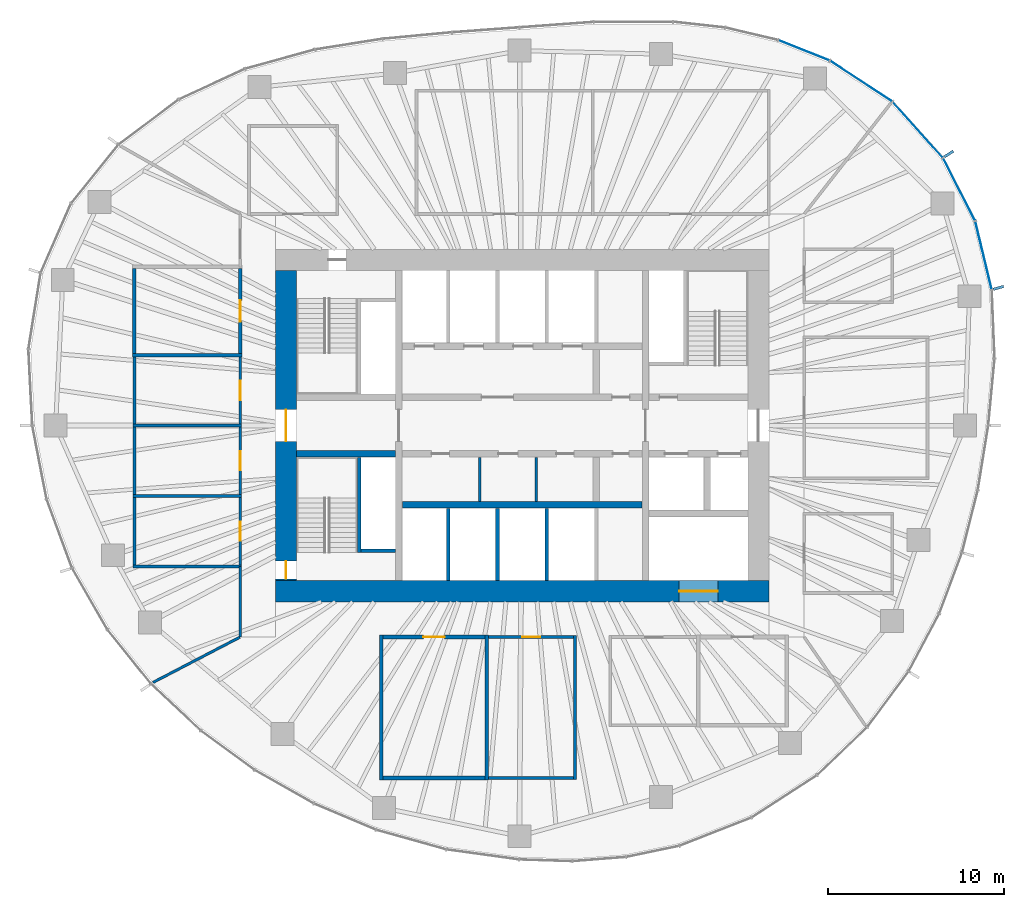
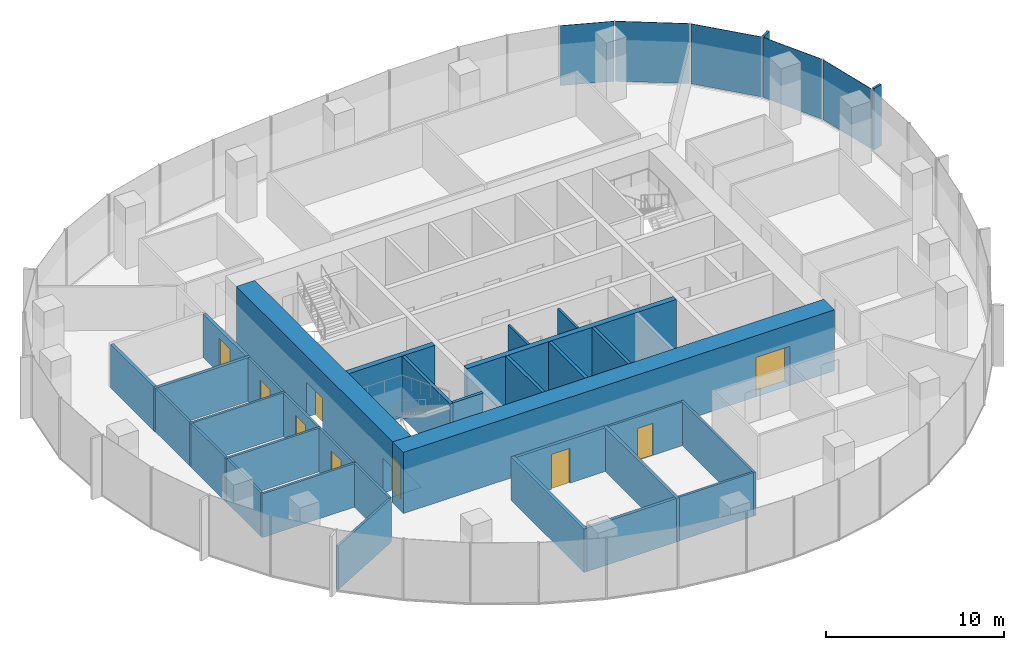
# One storey, part 8 of 12: 32 walls, 9 doors, 7 plates, 9 openings, 3 elements without a shape of their own.
"""IFC4 building model written with IfcOpenShell, lengths in metres."""

from ifc_helpers import new_model, si_unit, direction, frame, frame_2d, origin, origin_2d, place, context, subcontext, project, spatial, rectangle, extrude, material, layer, layer_set, type_object, element, fill, aggregate, save


model = new_model("IFC4")

# Units and contexts
model_context = context("Model", 3, precision=1e-05, world=origin(), true_north=direction((0.0, 1.0)))
body_context = subcontext(model_context, "Body", "Model", "MODEL_VIEW")
ifc_project = project(units=[si_unit("LENGTHUNIT", "METRE"), si_unit("AREAUNIT", "SQUARE_METRE"), si_unit("VOLUMEUNIT", "CUBIC_METRE"), si_unit("PLANEANGLEUNIT", "RADIAN"), si_unit("MASSUNIT", "GRAM", prefix="KILO")], contexts=[model_context])

# Site, building, storey
site_placement = place(None, origin())
site = spatial("IfcSite", under=ifc_project, at=site_placement, CompositionType="ELEMENT")
building_placement = place(site_placement, origin())
building = spatial("IfcBuilding", under=site, at=building_placement, Name="Ghaith Harvest Tower", CompositionType="ELEMENT")
storey_placement = place(building_placement, frame((0.0, 0.0, 228.39990234375)))
storey = spatial("IfcBuildingStorey", under=building, at=storey_placement, Name="L50", CompositionType="ELEMENT", Elevation=228.39990234375)

# Curtain wall, plates
ifc_material_1 = material(Name="Black anodised aluminium and fritted glass", Category="aluminium")
curtain_wall_type = type_object("IfcCurtainWallType", Name="CW-H CURTAIN WALL", PredefinedType="NOTDEFINED", material=ifc_material_1)
curtain_wall_1_placement = place(storey_placement, origin())
curtain_wall_1 = element("IfcCurtainWall", 1, at=curtain_wall_1_placement, inside=storey, type_object=curtain_wall_type, Name="Curtain wall CW-H bay 02 L50", PredefinedType="NOTDEFINED")
ifc_material_2 = material(Name="Glass, dark solar-control fritted double glazed unit", Category="glass")
ifc_layer_1 = layer(ifc_material_2, 0.030029296875)
ifc_layer_set_1 = layer_set([ifc_layer_1], Name="CW-H VISION PANEL")
plate_type_1 = type_object("IfcPlateType", Name="CW-H VISION PANEL", PredefinedType="CURTAIN_PANEL", material=ifc_layer_set_1)
plate_1_placement = place(storey_placement, frame((26.1767578125, 9.6533203125, 0.080078125), z_axis=(0.0, 0.0, 1.0), x_axis=(-0.233894000303, 0.972262102842, 0.0)))
plate_1 = element("IfcPlate", 2, at=plate_1_placement, type_object=plate_type_1, Name="CW-H glass unit 1 bay 02 L50", PredefinedType="CURTAIN_PANEL", context=body_context, shape_type="SweptSolid", body=[
    extrude(rectangle(XDim=3.935546875, YDim=0.030029296875, at=origin_2d()), origin(), (0.0, 0.0, 1.0), 4.1201171875),
])
plate_2_placement = place(storey_placement, frame((24.790771484375, 13.399658203125, 0.080078125), z_axis=(0.0, 0.0, 1.0), x_axis=(-0.454915320985, 0.890534699342, 0.0)))
plate_2 = element("IfcPlate", 3, at=plate_2_placement, type_object=plate_type_1, Name="CW-H glass unit 2 bay 02 L50", PredefinedType="CURTAIN_PANEL", context=body_context, shape_type="SweptSolid", body=[
    extrude(rectangle(XDim=3.949462890625, YDim=0.030029296875, at=origin_2d()), origin(), (0.0, 0.0, 1.0), 4.1201171875),
])
aggregate(curtain_wall_1, [plate_1, plate_2])

curtain_wall_2_placement = place(storey_placement, origin())
curtain_wall_2 = element("IfcCurtainWall", 4, at=curtain_wall_2_placement, inside=storey, type_object=curtain_wall_type, Name="Curtain wall CW-H bay 03 L50", PredefinedType="NOTDEFINED")
plate_3_placement = place(storey_placement, frame((22.44384765625, 16.783935546875, 0.080078125), z_axis=(0.0, 0.0, 1.0), x_axis=(-0.668757736889, 0.743480389352, 0.0)))
plate_3 = element("IfcPlate", 5, at=plate_3_placement, type_object=plate_type_1, Name="CW-H glass unit 1 bay 03 L50", PredefinedType="CURTAIN_PANEL", context=body_context, shape_type="SweptSolid", body=[
    extrude(rectangle(XDim=4.19775390625, YDim=0.030029296875, at=origin_2d()), origin(), (0.0, 0.0, 1.0), 4.1201171875),
])
plate_4_placement = place(storey_placement, frame((19.236328125, 19.539306640625, 0.080078125), z_axis=(0.0, 0.0, 1.0), x_axis=(-0.836276741583, 0.548307588392, 0.0)))
plate_4 = element("IfcPlate", 6, at=plate_4_placement, type_object=plate_type_1, Name="CW-H glass unit 2 bay 03 L50", PredefinedType="CURTAIN_PANEL", context=body_context, shape_type="SweptSolid", body=[
    extrude(rectangle(XDim=4.169677734375, YDim=0.030029296875, at=origin_2d()), origin(), (0.0, 0.0, 1.0), 4.1201171875),
])
aggregate(curtain_wall_2, [plate_3, plate_4])

# Curtain wall, plate
curtain_wall_3_placement = place(storey_placement, origin())
curtain_wall_3 = element("IfcCurtainWall", 7, at=curtain_wall_3_placement, inside=storey, type_object=curtain_wall_type, Name="Curtain wall CW-H bay 04 L50", PredefinedType="NOTDEFINED")
plate_5_placement = place(storey_placement, frame((15.993408203125, 21.287841796875, 0.080078125), z_axis=(0.0, 0.0, 1.0), x_axis=(-0.929107322045, 0.369810200133, 0.0)))
plate_5 = element("IfcPlate", 8, at=plate_5_placement, type_object=plate_type_1, Name="CW-H glass unit 1 bay 04 L50", PredefinedType="CURTAIN_PANEL", context=body_context, shape_type="SweptSolid", body=[
    extrude(rectangle(XDim=3.075927734375, YDim=0.030029296875, at=origin_2d()), origin(), (0.0, 0.0, 1.0), 4.1201171875),
])
aggregate(curtain_wall_3, [plate_5])

# Plates
ifc_material_3 = material(Name="Glassfibre-reinforced concrete", Category="concrete")
ifc_layer_2 = layer(ifc_material_3, 0.14990234375)
ifc_layer_set_2 = layer_set([ifc_layer_2], Name="SUN-BREAKER FIN 600x150")
plate_type_2 = type_object("IfcPlateType", Name="SUN-BREAKER FIN 600x150", PredefinedType="USERDEFINED", material=ifc_layer_set_2)
for number, where, z_axis, x_axis, name in (
    (9, (27.03076171875, 7.8125, 0.0), (0.0, 0.0, 1.0), (0.960680349985, 0.277656739792, 0.0), "Sun-breaker fin CW-H 1 bay 02 L50"),
    (10, (24.211669921875, 15.408447265625, 0.0), (0.0, 0.0, 1.0), (0.843643971464, 0.536903016766, 0.0), "Sun-breaker fin CW-H 1 bay 03 L50"),
):
    element("IfcPlate", number, at=place(storey_placement, frame(where, z_axis=z_axis, x_axis=x_axis)), inside=storey, type_object=plate_type_2, Name=name, ObjectType="SUN-BREAKER FIN", PredefinedType="USERDEFINED", context=body_context, shape_type="SweptSolid", body=[
        extrude(rectangle(XDim=0.60009765625, YDim=0.14990234375, at=origin_2d()), origin(), (0.0, 0.0, 1.0), 4.199951171875),
    ])

# Walls
ifc_material_4 = material(Name="Twin-stud gypsum board, acoustic", Category="gypsum")
ifc_layer_3 = layer(ifc_material_4, 0.199951171875)
ifc_layer_set_3 = layer_set([ifc_layer_3], Name="ACOUSTIC PARTITION 200")
wall_type_1 = type_object("IfcWallType", Name="ACOUSTIC PARTITION 200", PredefinedType="PARTITIONING", material=ifc_layer_set_3)
for number, where, z_axis, x_axis, name in (
    (11, (-8.0, -11.89990234375, 0.0), (0.0, 0.0, 1.0), (0.0, -1.0, 0.0), "Partition L50 row S3 cross wall 1"),
    (12, (-2.0, -11.89990234375, 0.0), (0.0, 0.0, 1.0), (0.0, -1.0, 0.0), "Partition L50 row S3 cross wall 2"),
):
    element("IfcWall", number, at=place(storey_placement, frame(where, z_axis=z_axis, x_axis=x_axis)), inside=storey, type_object=wall_type_1, Name=name, PredefinedType="PARTITIONING", context=body_context, shape_type="SweptSolid", body=[
        extrude(rectangle(XDim=8.2001953125, YDim=0.199951171875, at=frame_2d((4.10009765625, 0.0))), origin(), (0.0, 0.0, 1.0), 3.0),
    ])

# Wall, opening, door
wall_1_placement = place(storey_placement, frame((-7.89990234375, -12.0, 0.0), z_axis=(0.0, 0.0, 1.0), x_axis=(1.0, 0.0, 0.0)))
wall_1 = element("IfcWall", 13, at=wall_1_placement, inside=storey, type_object=wall_type_1, Name="Partition L50-04", PredefinedType="PARTITIONING", context=body_context, shape_type="SweptSolid", body=[
    extrude(rectangle(XDim=5.7998046875, YDim=0.199951171875, at=frame_2d((2.89990234375, 0.0))), origin(), (0.0, 0.0, 1.0), 3.0),
])
opening_1_placement = place(wall_1_placement, frame((2.300048828125, 0.0, 0.0)))
opening_1 = element("IfcOpeningElement", 14, at=opening_1_placement, cuts=wall_1, Name="Opening 50-024", PredefinedType="OPENING", context=body_context, shape_type="SweptSolid", body=[
    extrude(rectangle(XDim=1.199951171875, YDim=2.39990234375, at=frame_2d((0.60009765625, 1.199951171875))), frame((0.0, 0.10986328125, 0.0), z_axis=(0.0, -1.0, 0.0), x_axis=(1.0, 0.0, 0.0)), (0.0, 0.0, 1.0), 0.219970703125),
])
ifc_material_5 = material(Name="Timber door", Category="wood")
door_type_1 = type_object("IfcDoorType", Name="D11 GLAZED 1200x2400", OperationType="SINGLE_SWING_LEFT", PredefinedType="DOOR", material=ifc_material_5)
door_1_placement = place(opening_1_placement, origin())
door_1 = element("IfcDoor", 15, at=door_1_placement, inside=storey, type_object=door_type_1, Name="Meeting room door", OperationType="SINGLE_SWING_LEFT", OverallHeight=2.39990234375, OverallWidth=1.199951171875, PredefinedType="DOOR", context=body_context, shape_type="SweptSolid", body=[
    extrude(rectangle(XDim=1.199951171875, YDim=2.39990234375, at=frame_2d((0.60009765625, 1.199951171875))), frame((0.0, 0.02490234375, 0.0), z_axis=(0.0, -1.0, 0.0), x_axis=(1.0, 0.0, 0.0)), (0.0, 0.0, 1.0), 0.050048828125),
])
fill(opening_1, door_1)

# Walls
wall_2_placement = place(storey_placement, frame((-7.89990234375, -20.0, 0.0), z_axis=(0.0, 0.0, 1.0), x_axis=(1.0, 0.0, 0.0)))
element("IfcWall", 16, at=wall_2_placement, inside=storey, type_object=wall_type_1, Name="Partition L50-04", PredefinedType="PARTITIONING", context=body_context, shape_type="SweptSolid", body=[
    extrude(rectangle(XDim=5.7998046875, YDim=0.199951171875, at=frame_2d((2.89990234375, 0.0))), origin(), (0.0, 0.0, 1.0), 3.0),
])
wall_3_placement = place(storey_placement, frame((-15.89990234375, 4.0, 0.0), z_axis=(0.0, 0.0, 1.0), x_axis=(-1.0, 0.0, 0.0)))
element("IfcWall", 17, at=wall_3_placement, inside=storey, type_object=wall_type_1, Name="Partition L50 row W6 cross wall 4", PredefinedType="PARTITIONING", context=body_context, shape_type="SweptSolid", body=[
    extrude(rectangle(XDim=6.2001953125, YDim=0.199951171875, at=frame_2d((3.10009765625, 0.0))), origin(), (0.0, 0.0, 1.0), 3.0),
])

# Wall, opening, door
wall_4_placement = place(storey_placement, frame((-16.0, 4.10009765625, 0.0), z_axis=(0.0, 0.0, 1.0), x_axis=(0.0, 1.0, 0.0)))
wall_4 = element("IfcWall", 18, at=wall_4_placement, inside=storey, type_object=wall_type_1, Name="Partition L50-12", PredefinedType="PARTITIONING", context=body_context, shape_type="SweptSolid", body=[
    extrude(rectangle(XDim=4.7998046875, YDim=0.199951171875, at=frame_2d((2.39990234375, 0.0))), origin(), (0.0, 0.0, 1.0), 3.0),
])
opening_2_placement = place(wall_4_placement, frame((1.800048828125, 0.0, 0.0)))
opening_2 = element("IfcOpeningElement", 19, at=opening_2_placement, cuts=wall_4, Name="Opening 50-032", PredefinedType="OPENING", context=body_context, shape_type="SweptSolid", body=[
    extrude(rectangle(XDim=1.199951171875, YDim=2.39990234375, at=frame_2d((0.60009765625, 1.199951171875))), frame((0.0, 0.10986328125, 0.0), z_axis=(0.0, -1.0, 0.0), x_axis=(1.0, 0.0, 0.0)), (0.0, 0.0, 1.0), 0.219970703125),
])
door_2_placement = place(opening_2_placement, origin())
door_2 = element("IfcDoor", 20, at=door_2_placement, inside=storey, type_object=door_type_1, Name="Meeting room door", OperationType="SINGLE_SWING_LEFT", OverallHeight=2.39990234375, OverallWidth=1.199951171875, PredefinedType="DOOR", context=body_context, shape_type="SweptSolid", body=[
    extrude(rectangle(XDim=1.199951171875, YDim=2.39990234375, at=frame_2d((0.60009765625, 1.199951171875))), frame((0.0, 0.02490234375, 0.0), z_axis=(0.0, -1.0, 0.0), x_axis=(1.0, 0.0, 0.0)), (0.0, 0.0, 1.0), 0.050048828125),
])
fill(opening_2, door_2)

# Walls
wall_5_placement = place(storey_placement, frame((-22.0, 4.10009765625, 0.0), z_axis=(0.0, 0.0, 1.0), x_axis=(0.0, 1.0, 0.0)))
element("IfcWall", 21, at=wall_5_placement, inside=storey, type_object=wall_type_1, Name="Partition L50-12", PredefinedType="PARTITIONING", context=body_context, shape_type="SweptSolid", body=[
    extrude(rectangle(XDim=4.7998046875, YDim=0.199951171875, at=frame_2d((2.39990234375, 0.0))), origin(), (0.0, 0.0, 1.0), 3.0),
])
ifc_material_6 = material(Name="Concrete blockwork, fair-faced", Category="masonry")
ifc_layer_4 = layer(ifc_material_6, 0.139892578125)
ifc_layer_set_4 = layer_set([ifc_layer_4], Name="CORE PARTITION 140")
wall_type_2 = type_object("IfcWallType", Name="CORE PARTITION 140", PredefinedType="PARTITIONING", material=ifc_layer_set_4)
for number, where, z_axis, x_axis, name in (
    (22, (-2.39990234375, -1.800048828125, 0.0), (0.0, 0.0, 1.0), (0.0, -1.0, 0.0), "Core partition L50"),
    (23, (0.800048828125, -1.800048828125, 0.0), (0.0, 0.0, 1.0), (0.0, -1.0, 0.0), "Core partition L50"),
):
    element("IfcWall", number, at=place(storey_placement, frame(where, z_axis=z_axis, x_axis=x_axis)), inside=storey, type_object=wall_type_2, Name=name, PredefinedType="PARTITIONING", context=body_context, shape_type="SweptSolid", body=[
        extrude(rectangle(XDim=2.5, YDim=0.139892578125, at=frame_2d((1.25, 0.0))), origin(), (0.0, 0.0, 1.0), 3.9501953125),
    ])

# Wall, opening, door
ifc_material_7 = material(Name="Concrete C60/75", Category="concrete")
ifc_layer_5 = layer(ifc_material_7, 1.199951171875)
ifc_layer_set_5 = layer_set([ifc_layer_5], Name="CORE WALL CW1200 C60")
wall_type_3 = type_object("IfcWallType", Name="CORE WALL CW1200 C60", PredefinedType="SHEAR", material=ifc_layer_set_5)
wall_6_placement = place(storey_placement, frame((-14.0, -9.39990234375, 0.0), z_axis=(0.0, 0.0, 1.0), x_axis=(1.0, 0.0, 0.0)))
wall_6 = element("IfcWall", 24, at=wall_6_placement, inside=storey, type_object=wall_type_3, Name="Core wall S L50", PredefinedType="SHEAR", context=body_context, shape_type="SweptSolid", body=[
    extrude(rectangle(XDim=28.0, YDim=1.199951171875, at=frame_2d((14.0, 0.0))), origin(), (0.0, 0.0, 1.0), 4.2001953125),
])
opening_3_placement = place(wall_6_placement, frame((22.89990234375, 0.0, 0.0)))
opening_3 = element("IfcOpeningElement", 25, at=opening_3_placement, cuts=wall_6, Name="Opening 50-020", PredefinedType="OPENING", context=body_context, shape_type="SweptSolid", body=[
    extrude(rectangle(XDim=2.199951171875, YDim=2.699951171875, at=frame_2d((1.10009765625, 1.35009765625))), frame((0.0, 0.60986328125, 0.0), z_axis=(0.0, -1.0, 0.0), x_axis=(1.0, 0.0, 0.0)), (0.0, 0.0, 1.0), 1.219970703125),
])
ifc_material_8 = material(Name="Steel fire door", Category="steel")
door_type_2 = type_object("IfcDoorType", Name="LD3 LANDING 2200x2700", OperationType="DOUBLE_DOOR_SLIDING", PredefinedType="DOOR", material=ifc_material_8)
door_3_placement = place(opening_3_placement, origin())
door_3 = element("IfcDoor", 26, at=door_3_placement, inside=storey, type_object=door_type_2, Name="Landing door, goods lift GL1", OperationType="DOUBLE_DOOR_SLIDING", OverallHeight=2.699951171875, OverallWidth=2.199951171875, PredefinedType="DOOR", context=body_context, shape_type="SweptSolid", body=[
    extrude(rectangle(XDim=2.199951171875, YDim=2.699951171875, at=frame_2d((1.10009765625, 1.35009765625))), frame((0.0, 0.02490234375, 0.0), z_axis=(0.0, -1.0, 0.0), x_axis=(1.0, 0.0, 0.0)), (0.0, 0.0, 1.0), 0.050048828125),
])
fill(opening_3, door_3)

# Wall, openings, doors
wall_7_placement = place(storey_placement, frame((-13.39990234375, 8.800048828125, 0.0), z_axis=(0.0, 0.0, 1.0), x_axis=(0.0, -1.0, 0.0)))
wall_7 = element("IfcWall", 27, at=wall_7_placement, inside=storey, type_object=wall_type_3, Name="Core wall W L50", PredefinedType="SHEAR", context=body_context, shape_type="SweptSolid", body=[
    extrude(rectangle(XDim=17.60009765625, YDim=1.199951171875, at=frame_2d((8.800048828125, 0.0))), origin(), (0.0, 0.0, 1.0), 4.2001953125),
])
opening_4_placement = place(wall_7_placement, frame((7.89990234375, 0.0, 0.0)))
opening_4 = element("IfcOpeningElement", 28, at=opening_4_placement, cuts=wall_7, Name="Opening 50-001", PredefinedType="OPENING", context=body_context, shape_type="SweptSolid", body=[
    extrude(rectangle(XDim=1.800048828125, YDim=2.39990234375, at=frame_2d((0.89990234375, 1.199951171875))), frame((0.0, 0.60986328125, 0.0), z_axis=(0.0, -1.0, 0.0), x_axis=(1.0, 0.0, 0.0)), (0.0, 0.0, 1.0), 1.219970703125),
])
opening_5_placement = place(wall_7_placement, frame((16.5, 0.0, 0.0)))
opening_5 = element("IfcOpeningElement", 29, at=opening_5_placement, cuts=wall_7, Name="Opening 50-006", PredefinedType="OPENING", context=body_context, shape_type="SweptSolid", body=[
    extrude(rectangle(XDim=1.0, YDim=2.39990234375, at=frame_2d((0.5, 1.199951171875))), frame((0.0, 0.60986328125, 0.0), z_axis=(0.0, -1.0, 0.0), x_axis=(1.0, 0.0, 0.0)), (0.0, 0.0, 1.0), 1.219970703125),
])
ifc_material_9 = material(Name="Steel fire door", Category="steel")
door_type_3 = type_object("IfcDoorType", Name="D3 FD90 1000x2400", OperationType="SINGLE_SWING_LEFT", PredefinedType="DOOR", material=ifc_material_9)
door_4_placement = place(opening_5_placement, origin())
door_4 = element("IfcDoor", 30, at=door_4_placement, inside=storey, type_object=door_type_3, Name="Stair ST3 door", OperationType="SINGLE_SWING_RIGHT", OverallHeight=2.39990234375, OverallWidth=1.0, PredefinedType="DOOR", context=body_context, shape_type="SweptSolid", body=[
    extrude(rectangle(XDim=1.0, YDim=2.39990234375, at=frame_2d((0.5, 1.199951171875))), frame((0.0, 0.02490234375, 0.0), z_axis=(0.0, -1.0, 0.0), x_axis=(1.0, 0.0, 0.0)), (0.0, 0.0, 1.0), 0.050048828125),
])
fill(opening_5, door_4)
ifc_material_10 = material(Name="Steel fire door", Category="steel")
door_type_4 = type_object("IfcDoorType", Name="D4 FD90 PAIR 1800x2400", OperationType="DOUBLE_DOOR_SINGLE_SWING", PredefinedType="DOOR", material=ifc_material_10)
door_5_placement = place(opening_4_placement, origin())
door_5 = element("IfcDoor", 31, at=door_5_placement, inside=storey, type_object=door_type_4, Name="West lobby doors", OperationType="DOUBLE_DOOR_SINGLE_SWING", OverallHeight=2.39990234375, OverallWidth=1.800048828125, PredefinedType="DOOR", context=body_context, shape_type="SweptSolid", body=[
    extrude(rectangle(XDim=1.800048828125, YDim=2.39990234375, at=frame_2d((0.89990234375, 1.199951171875))), frame((0.0, 0.02490234375, 0.0), z_axis=(0.0, -1.0, 0.0), x_axis=(1.0, 0.0, 0.0)), (0.0, 0.0, 1.0), 0.050048828125),
])
fill(opening_4, door_5)

# Walls
ifc_material_11 = material(Name="Concrete blockwork, 2-hour", Category="masonry")
ifc_layer_6 = layer(ifc_material_11, 0.199951171875)
ifc_layer_set_6 = layer_set([ifc_layer_6], Name="LIFT SHAFT WALL 200")
wall_type_4 = type_object("IfcWallType", Name="LIFT SHAFT WALL 200", PredefinedType="PARTITIONING", material=ifc_layer_set_6)
for number, where, z_axis, x_axis, name in (
    (32, (-4.199951171875, -4.699951171875, 0.0), (0.0, 0.0, 1.0), (0.0, -1.0, 0.0), "Lift shaft wall L50"),
    (33, (-1.39990234375, -4.699951171875, 0.0), (0.0, 0.0, 1.0), (0.0, -1.0, 0.0), "Lift shaft wall L50"),
    (34, (1.39990234375, -4.699951171875, 0.0), (0.0, 0.0, 1.0), (0.0, -1.0, 0.0), "Lift shaft wall L50"),
):
    element("IfcWall", number, at=place(storey_placement, frame(where, z_axis=z_axis, x_axis=x_axis)), inside=storey, type_object=wall_type_4, Name=name, PredefinedType="PARTITIONING", context=body_context, shape_type="SweptSolid", body=[
        extrude(rectangle(XDim=4.10009765625, YDim=0.199951171875, at=frame_2d((2.050048828125, 0.0))), origin(), (0.0, 0.0, 1.0), 4.2001953125),
    ])
ifc_material_12 = material(Name="Gypsum board on steel studs", Category="steel")
ifc_layer_7 = layer(ifc_material_12, 0.14990234375)
ifc_layer_set_7 = layer_set([ifc_layer_7], Name="PARTITION 150")
wall_type_5 = type_object("IfcWallType", Name="PARTITION 150", PredefinedType="PARTITIONING", material=ifc_layer_set_7)
wall_8_placement = place(storey_placement, frame((3.0, -11.925048828125, 0.0), z_axis=(0.0, 0.0, 1.0), x_axis=(0.0, -1.0, 0.0)))
element("IfcWall", 35, at=wall_8_placement, inside=storey, type_object=wall_type_5, Name="Partition L50 row S3 cross wall 3", PredefinedType="PARTITIONING", context=body_context, shape_type="SweptSolid", body=[
    extrude(rectangle(XDim=8.14990234375, YDim=0.14990234375, at=frame_2d((4.074951171875, 0.0))), origin(), (0.0, 0.0, 1.0), 3.0),
])

# Wall, opening, door
wall_9_placement = place(storey_placement, frame((-1.89990234375, -12.0, 0.0), z_axis=(0.0, 0.0, 1.0), x_axis=(1.0, 0.0, 0.0)))
wall_9 = element("IfcWall", 36, at=wall_9_placement, inside=storey, type_object=wall_type_5, Name="Partition L50-05", PredefinedType="PARTITIONING", context=body_context, shape_type="SweptSolid", body=[
    extrude(rectangle(XDim=4.824951171875, YDim=0.14990234375, at=frame_2d((2.41259765625, 0.0))), origin(), (0.0, 0.0, 1.0), 3.0),
])
opening_6_placement = place(wall_9_placement, frame((1.91259765625, 0.0, 0.0)))
opening_6 = element("IfcOpeningElement", 37, at=opening_6_placement, cuts=wall_9, Name="Opening 50-025", PredefinedType="OPENING", context=body_context, shape_type="SweptSolid", body=[
    extrude(rectangle(XDim=1.0, YDim=2.199951171875, at=frame_2d((0.5, 1.10009765625))), frame((0.0, 0.0849609375, 0.0), z_axis=(0.0, -1.0, 0.0), x_axis=(1.0, 0.0, 0.0)), (0.0, 0.0, 1.0), 0.169921875),
])
ifc_material_13 = material(Name="Timber door", Category="wood")
door_type_5 = type_object("IfcDoorType", Name="D1 SINGLE 1000x2200", OperationType="SINGLE_SWING_LEFT", PredefinedType="DOOR", material=ifc_material_13)
door_6_placement = place(opening_6_placement, origin())
door_6 = element("IfcDoor", 38, at=door_6_placement, inside=storey, type_object=door_type_5, Name="Store door", OperationType="SINGLE_SWING_LEFT", OverallHeight=2.199951171875, OverallWidth=1.0, PredefinedType="DOOR", context=body_context, shape_type="SweptSolid", body=[
    extrude(rectangle(XDim=1.0, YDim=2.199951171875, at=frame_2d((0.5, 1.10009765625))), frame((0.0, 0.02490234375, 0.0), z_axis=(0.0, -1.0, 0.0), x_axis=(1.0, 0.0, 0.0)), (0.0, 0.0, 1.0), 0.050048828125),
])
fill(opening_6, door_6)

# Walls
wall_10_placement = place(storey_placement, frame((-1.89990234375, -20.0, 0.0), z_axis=(0.0, 0.0, 1.0), x_axis=(1.0, 0.0, 0.0)))
element("IfcWall", 39, at=wall_10_placement, inside=storey, type_object=wall_type_5, Name="Partition L50-05", PredefinedType="PARTITIONING", context=body_context, shape_type="SweptSolid", body=[
    extrude(rectangle(XDim=4.824951171875, YDim=0.14990234375, at=frame_2d((2.41259765625, 0.0))), origin(), (0.0, 0.0, 1.0), 3.0),
])
for number, where, z_axis, x_axis, name in (
    (40, (-15.925048828125, -8.0, 0.0), (0.0, 0.0, 1.0), (-1.0, 0.0, 0.0), "Partition L50 row W6 cross wall 1"),
    (41, (-15.925048828125, -4.0, 0.0), (0.0, 0.0, 1.0), (-1.0, 0.0, 0.0), "Partition L50 row W6 cross wall 2"),
    (42, (-15.925048828125, 0.0, 0.0), (0.0, 0.0, 1.0), (-1.0, 0.0, 0.0), "Partition L50 row W6 cross wall 3"),
):
    element("IfcWall", number, at=place(storey_placement, frame(where, z_axis=z_axis, x_axis=x_axis)), inside=storey, type_object=wall_type_5, Name=name, PredefinedType="PARTITIONING", context=body_context, shape_type="SweptSolid", body=[
        extrude(rectangle(XDim=6.14990234375, YDim=0.14990234375, at=frame_2d((3.074951171875, 0.0))), origin(), (0.0, 0.0, 1.0), 3.0),
    ])

# Wall, opening, door
wall_11_placement = place(storey_placement, frame((-16.0, -7.925048828125, 0.0), z_axis=(0.0, 0.0, 1.0), x_axis=(0.0, 1.0, 0.0)))
wall_11 = element("IfcWall", 43, at=wall_11_placement, inside=storey, type_object=wall_type_5, Name="Partition L50-09", PredefinedType="PARTITIONING", context=body_context, shape_type="SweptSolid", body=[
    extrude(rectangle(XDim=3.85009765625, YDim=0.14990234375, at=frame_2d((1.925048828125, 0.0))), origin(), (0.0, 0.0, 1.0), 3.0),
])
opening_7_placement = place(wall_11_placement, frame((1.375, 0.0, 0.0)))
opening_7 = element("IfcOpeningElement", 44, at=opening_7_placement, cuts=wall_11, Name="Opening 50-029", PredefinedType="OPENING", context=body_context, shape_type="SweptSolid", body=[
    extrude(rectangle(XDim=1.10009765625, YDim=2.300048828125, at=frame_2d((0.550048828125, 1.14990234375))), frame((0.0, 0.0849609375, 0.0), z_axis=(0.0, -1.0, 0.0), x_axis=(1.0, 0.0, 0.0)), (0.0, 0.0, 1.0), 0.169921875),
])
ifc_material_14 = material(Name="Timber-framed glazed door", Category="wood")
door_type_6 = type_object("IfcDoorType", Name="D12 GLAZED OFFICE 1100x2300", OperationType="SINGLE_SWING_LEFT", PredefinedType="DOOR", material=ifc_material_14)
door_7_placement = place(opening_7_placement, origin())
door_7 = element("IfcDoor", 45, at=door_7_placement, inside=storey, type_object=door_type_6, Name="Office door", OperationType="SINGLE_SWING_LEFT", OverallHeight=2.300048828125, OverallWidth=1.10009765625, PredefinedType="DOOR", context=body_context, shape_type="SweptSolid", body=[
    extrude(rectangle(XDim=1.10009765625, YDim=2.300048828125, at=frame_2d((0.550048828125, 1.14990234375))), frame((0.0, 0.02490234375, 0.0), z_axis=(0.0, -1.0, 0.0), x_axis=(1.0, 0.0, 0.0)), (0.0, 0.0, 1.0), 0.050048828125),
])
fill(opening_7, door_7)

# Wall
wall_12_placement = place(storey_placement, frame((-22.0, -7.925048828125, 0.0), z_axis=(0.0, 0.0, 1.0), x_axis=(0.0, 1.0, 0.0)))
element("IfcWall", 46, at=wall_12_placement, inside=storey, type_object=wall_type_5, Name="Partition L50-09", PredefinedType="PARTITIONING", context=body_context, shape_type="SweptSolid", body=[
    extrude(rectangle(XDim=3.85009765625, YDim=0.14990234375, at=frame_2d((1.925048828125, 0.0))), origin(), (0.0, 0.0, 1.0), 3.0),
])

# Wall, opening, door
wall_13_placement = place(storey_placement, frame((-16.0, -3.925048828125, 0.0), z_axis=(0.0, 0.0, 1.0), x_axis=(0.0, 1.0, 0.0)))
wall_13 = element("IfcWall", 47, at=wall_13_placement, inside=storey, type_object=wall_type_5, Name="Partition L50-10", PredefinedType="PARTITIONING", context=body_context, shape_type="SweptSolid", body=[
    extrude(rectangle(XDim=3.85009765625, YDim=0.14990234375, at=frame_2d((1.925048828125, 0.0))), origin(), (0.0, 0.0, 1.0), 3.0),
])
opening_8_placement = place(wall_13_placement, frame((1.375, 0.0, 0.0)))
opening_8 = element("IfcOpeningElement", 48, at=opening_8_placement, cuts=wall_13, Name="Opening 50-030", PredefinedType="OPENING", context=body_context, shape_type="SweptSolid", body=[
    extrude(rectangle(XDim=1.10009765625, YDim=2.300048828125, at=frame_2d((0.550048828125, 1.14990234375))), frame((0.0, 0.0849609375, 0.0), z_axis=(0.0, -1.0, 0.0), x_axis=(1.0, 0.0, 0.0)), (0.0, 0.0, 1.0), 0.169921875),
])
door_8_placement = place(opening_8_placement, origin())
door_8 = element("IfcDoor", 49, at=door_8_placement, inside=storey, type_object=door_type_6, Name="Office door", OperationType="SINGLE_SWING_LEFT", OverallHeight=2.300048828125, OverallWidth=1.10009765625, PredefinedType="DOOR", context=body_context, shape_type="SweptSolid", body=[
    extrude(rectangle(XDim=1.10009765625, YDim=2.300048828125, at=frame_2d((0.550048828125, 1.14990234375))), frame((0.0, 0.02490234375, 0.0), z_axis=(0.0, -1.0, 0.0), x_axis=(1.0, 0.0, 0.0)), (0.0, 0.0, 1.0), 0.050048828125),
])
fill(opening_8, door_8)

# Wall
wall_14_placement = place(storey_placement, frame((-22.0, -3.925048828125, 0.0), z_axis=(0.0, 0.0, 1.0), x_axis=(0.0, 1.0, 0.0)))
element("IfcWall", 50, at=wall_14_placement, inside=storey, type_object=wall_type_5, Name="Partition L50-10", PredefinedType="PARTITIONING", context=body_context, shape_type="SweptSolid", body=[
    extrude(rectangle(XDim=3.85009765625, YDim=0.14990234375, at=frame_2d((1.925048828125, 0.0))), origin(), (0.0, 0.0, 1.0), 3.0),
])

# Wall, opening, door
wall_15_placement = place(storey_placement, frame((-16.0, 0.074951171875, 0.0), z_axis=(0.0, 0.0, 1.0), x_axis=(0.0, 1.0, 0.0)))
wall_15 = element("IfcWall", 51, at=wall_15_placement, inside=storey, type_object=wall_type_5, Name="Partition L50-11", PredefinedType="PARTITIONING", context=body_context, shape_type="SweptSolid", body=[
    extrude(rectangle(XDim=3.824951171875, YDim=0.14990234375, at=frame_2d((1.91259765625, 0.0))), origin(), (0.0, 0.0, 1.0), 3.0),
])
opening_9_placement = place(wall_15_placement, frame((1.362548828125, 0.0, 0.0)))
opening_9 = element("IfcOpeningElement", 52, at=opening_9_placement, cuts=wall_15, Name="Opening 50-031", PredefinedType="OPENING", context=body_context, shape_type="SweptSolid", body=[
    extrude(rectangle(XDim=1.10009765625, YDim=2.300048828125, at=frame_2d((0.550048828125, 1.14990234375))), frame((0.0, 0.0849609375, 0.0), z_axis=(0.0, -1.0, 0.0), x_axis=(1.0, 0.0, 0.0)), (0.0, 0.0, 1.0), 0.169921875),
])
door_9_placement = place(opening_9_placement, origin())
door_9 = element("IfcDoor", 53, at=door_9_placement, inside=storey, type_object=door_type_6, Name="Office door", OperationType="SINGLE_SWING_LEFT", OverallHeight=2.300048828125, OverallWidth=1.10009765625, PredefinedType="DOOR", context=body_context, shape_type="SweptSolid", body=[
    extrude(rectangle(XDim=1.10009765625, YDim=2.300048828125, at=frame_2d((0.550048828125, 1.14990234375))), frame((0.0, 0.02490234375, 0.0), z_axis=(0.0, -1.0, 0.0), x_axis=(1.0, 0.0, 0.0)), (0.0, 0.0, 1.0), 0.050048828125),
])
fill(opening_9, door_9)

# Walls
wall_16_placement = place(storey_placement, frame((-22.0, 0.074951171875, 0.0), z_axis=(0.0, 0.0, 1.0), x_axis=(0.0, 1.0, 0.0)))
element("IfcWall", 54, at=wall_16_placement, inside=storey, type_object=wall_type_5, Name="Partition L50-11", PredefinedType="PARTITIONING", context=body_context, shape_type="SweptSolid", body=[
    extrude(rectangle(XDim=3.824951171875, YDim=0.14990234375, at=frame_2d((1.91259765625, 0.0))), origin(), (0.0, 0.0, 1.0), 3.0),
])
wall_17_placement = place(storey_placement, frame((-16.017578125, -12.00927734375, 0.0), z_axis=(0.0, 0.0, 1.0), x_axis=(-0.886831549241, -0.462092851351, 0.0)))
element("IfcWall", 55, at=wall_17_placement, inside=storey, type_object=wall_type_5, Name="Partition L50 zone division", PredefinedType="PARTITIONING", context=body_context, shape_type="SweptSolid", body=[
    extrude(rectangle(XDim=5.555419921875, YDim=0.14990234375, at=frame_2d((2.77783203125, 0.0))), origin(), (0.0, 0.0, 1.0), 3.0),
])
wall_18_placement = place(storey_placement, frame((-16.0, -8.0, 0.0), z_axis=(0.0, 0.0, 1.0), x_axis=(0.0, -1.0, 0.0)))
element("IfcWall", 56, at=wall_18_placement, inside=storey, type_object=wall_type_5, Name="Partition L50 zone enclosure", PredefinedType="PARTITIONING", context=body_context, shape_type="SweptSolid", body=[
    extrude(rectangle(XDim=4.0, YDim=0.14990234375, at=frame_2d((2.0, 0.0))), origin(), (0.0, 0.0, 1.0), 3.0),
])
ifc_material_15 = material(Name="Concrete C60/75", Category="concrete")
ifc_layer_8 = layer(ifc_material_15, 0.35009765625)
ifc_layer_set_8 = layer_set([ifc_layer_8], Name="SHAFT WALL 350")
wall_type_6 = type_object("IfcWallType", Name="SHAFT WALL 350", PredefinedType="SHEAR", material=ifc_layer_set_8)
wall_19_placement = place(storey_placement, frame((-6.800048828125, -4.5, 0.0), z_axis=(0.0, 0.0, 1.0), x_axis=(1.0, 0.0, 0.0)))
element("IfcWall", 57, at=wall_19_placement, inside=storey, type_object=wall_type_6, Name="Shaft wall BS L50", PredefinedType="SHEAR", context=body_context, shape_type="SweptSolid", body=[
    extrude(rectangle(XDim=13.60009765625, YDim=0.35009765625, at=frame_2d((6.800048828125, 0.0))), origin(), (0.0, 0.0, 1.0), 4.2001953125),
])
wall_20_placement = place(storey_placement, frame((-12.800048828125, -1.60009765625, 0.0), z_axis=(0.0, 0.0, 1.0), x_axis=(1.0, 0.0, 0.0)))
element("IfcWall", 58, at=wall_20_placement, inside=storey, type_object=wall_type_6, Name="Shaft wall WS L50", PredefinedType="SHEAR", context=body_context, shape_type="SweptSolid", body=[
    extrude(rectangle(XDim=5.60009765625, YDim=0.35009765625, at=frame_2d((2.800048828125, 0.0))), origin(), (0.0, 0.0, 1.0), 4.2001953125),
])
ifc_material_16 = material(Name="Concrete C40/50", Category="concrete")
ifc_layer_9 = layer(ifc_material_16, 0.199951171875)
ifc_layer_set_9 = layer_set([ifc_layer_9], Name="STAIR SPINE WALL RC200")
wall_type_7 = type_object("IfcWallType", Name="STAIR SPINE WALL RC200", PredefinedType="SOLIDWALL", material=ifc_layer_set_9)
wall_21_placement = place(storey_placement, frame((-9.25, -7.199951171875, 0.0), z_axis=(0.0, 0.0, 1.0), x_axis=(0.0, 1.0, 0.0)))
element("IfcWall", 59, at=wall_21_placement, inside=storey, type_object=wall_type_7, Name="Stair ST3 spine wall L50", PredefinedType="SOLIDWALL", context=body_context, shape_type="SweptSolid", body=[
    extrude(rectangle(XDim=5.39990234375, YDim=0.199951171875, at=frame_2d((2.699951171875, 0.0))), origin(), (0.0, 0.0, 1.0), 4.2001953125),
])
wall_22_placement = place(storey_placement, frame((-9.14990234375, -7.10009765625, 0.0), z_axis=(0.0, 0.0, 1.0), x_axis=(1.0, 0.0, 0.0)))
element("IfcWall", 60, at=wall_22_placement, inside=storey, type_object=wall_type_7, Name="Stair ST3 spine wall return L50", PredefinedType="SOLIDWALL", context=body_context, shape_type="SweptSolid", body=[
    extrude(rectangle(XDim=1.949951171875, YDim=0.199951171875, at=frame_2d((0.97509765625, 0.0))), origin(), (0.0, 0.0, 1.0), 4.2001953125),
])

save(model, "model.ifc")
